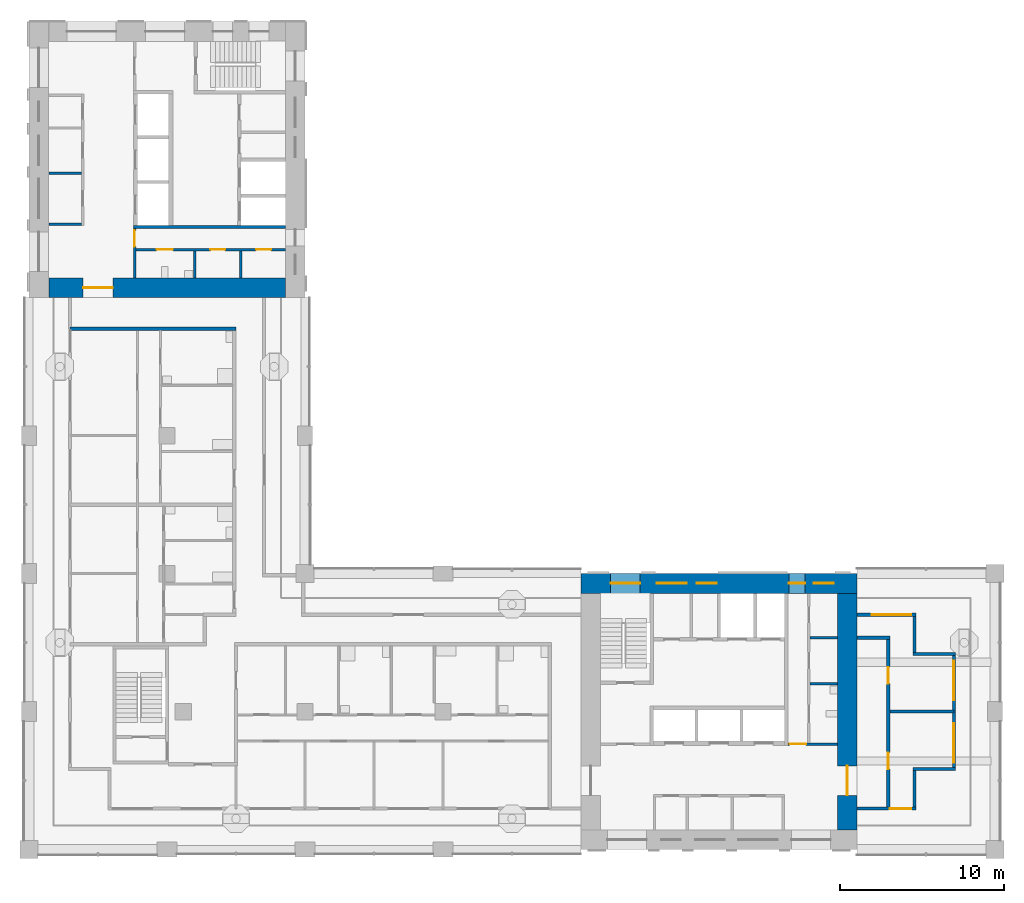
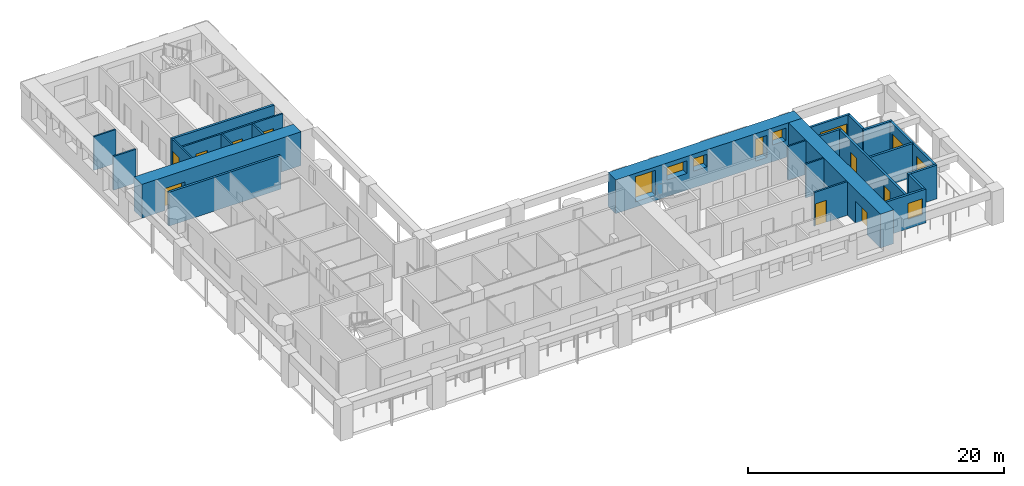
# One storey, part 5 of 13: 24 walls, 10 doors, 8 windows, 18 openings.
"""IFC4 building model written with IfcOpenShell, lengths in metres."""

import ifcopenshell
import ifcopenshell.guid

model = None  # the IFC model being written
_history = None  # IfcOwnerHistory: only IFC2X3 demands one
_inside = {}  # id of a spatial element -> (the spatial element, [elements in it])
_under = {}  # id of a project, library or spatial element -> (it, [spatial elements below it])
_declared = {}  # id of a project -> (the project, [libraries it declares])
_typed = {}  # id of a type object -> (the type object, [elements of that type])
_made_of = {}  # id of a material, layer set ... -> (it, [elements and type objects made of it])


def new_model(schema):
    """Start an empty IFC model of exactly this schema.

    Asked for "IFC4X3", IfcOpenShell would pick the latest addendum, in which some entities
    have other attributes; the version numbers below select the first issue.
    IFC2X3 requires an IfcOwnerHistory on every rooted entity: one is made here for all.
    """
    global model, _history
    if schema == "IFC4X3":
        model = ifcopenshell.file(schema_version=(4, 3, 0, 0))
    else:
        model = ifcopenshell.file(schema=schema)
    _inside.clear()
    _under.clear()
    _declared.clear()
    _typed.clear()
    _made_of.clear()
    _history = None
    if model.schema == "IFC2X3":
        org = make("IfcOrganization", Name="unknown")
        user = make(
            "IfcPersonAndOrganization",
            ThePerson=make("IfcPerson", FamilyName="unknown"),
            TheOrganization=org,
        )
        app = make(
            "IfcApplication",
            ApplicationDeveloper=org,
            Version="unknown",
            ApplicationFullName="unknown",
            ApplicationIdentifier="unknown",
        )
        _history = make(
            "IfcOwnerHistory",
            OwningUser=user,
            OwningApplication=app,
            ChangeAction="ADDED",
            CreationDate=0,
        )
    return model


def make(cls, **values):
    """One entity of the class cls with the attributes given. An attribute that is None is left unset."""
    return model.create_entity(
        cls, **{name: value for name, value in values.items() if value is not None}
    )


def rooted(cls, **values):
    """An entity with a GlobalId (a new one), such as an element, a storey or a relation."""
    return make(cls, GlobalId=ifcopenshell.guid.new(), OwnerHistory=_history, **values)


def si_unit(unit_type, name, prefix=None):
    """IfcSIUnit, for example si_unit("LENGTHUNIT", "METRE", prefix="MILLI")."""
    return make("IfcSIUnit", UnitType=unit_type, Prefix=prefix, Name=name)


def assignment(units):
    """IfcUnitAssignment: the units of a project."""
    return None if units is None else make("IfcUnitAssignment", Units=units)


def point(xyz):
    """IfcCartesianPoint."""
    return None if xyz is None else make("IfcCartesianPoint", Coordinates=xyz)


def direction(xyz):
    """IfcDirection."""
    return None if xyz is None else make("IfcDirection", DirectionRatios=xyz)


def frame(location, z_axis=None, x_axis=None):
    """IfcAxis2Placement3D, a coordinate frame: its origin and axes. An axis left out is left unset."""
    return make(
        "IfcAxis2Placement3D",
        Location=point(location),
        Axis=direction(z_axis),
        RefDirection=direction(x_axis),
    )


def frame_2d(location, x_axis=None):
    """IfcAxis2Placement2D, a coordinate frame in the plane: its origin and x axis."""
    return make(
        "IfcAxis2Placement2D", Location=point(location), RefDirection=direction(x_axis)
    )


def origin():
    """The frame at (0, 0, 0) with its axes left unset."""
    return frame((0.0, 0.0, 0.0))


def place(relative_to, where):
    """IfcLocalPlacement: puts the frame where relative to a parent placement (None: the world)."""
    return make(
        "IfcLocalPlacement", PlacementRelTo=relative_to, RelativePlacement=where
    )


def context(
    kind, dimensions, precision=None, world=None, true_north=None, identifier=None
):
    """IfcGeometricRepresentationContext, for example the 3D "Model" context."""
    return make(
        "IfcGeometricRepresentationContext",
        ContextIdentifier=identifier,
        ContextType=kind,
        CoordinateSpaceDimension=dimensions,
        Precision=precision,
        WorldCoordinateSystem=world,
        TrueNorth=true_north,
    )


def subcontext(parent, identifier, kind, view, scale=None):
    """IfcGeometricRepresentationSubContext, for example "Body" below "Model"."""
    return make(
        "IfcGeometricRepresentationSubContext",
        ContextIdentifier=identifier,
        ContextType=kind,
        ParentContext=parent,
        TargetScale=scale,
        TargetView=view,
    )


def project(units=None, contexts=None):
    """IfcProject with its units and contexts."""
    return rooted(
        "IfcProject",
        Name="project",
        RepresentationContexts=contexts,
        UnitsInContext=assignment(units),
    )


def spatial(cls, under=None, at=None, **own):
    """A site, building, storey or space (cls), placed at a placement, below another one or the project."""
    s = rooted(cls, ObjectPlacement=at, **own)
    if under is not None:
        _under.setdefault(under.id(), (under, []))[1].append(s)
    return s


def profile(cls, at=None, kind="AREA", **sizes):
    """A parametric profile (cls). Its sizes go by their IFC names, for example OverallWidth=200.0."""
    return make(cls, ProfileType=kind, Position=at, **sizes)


def rectangle(**sizes):
    """IfcRectangleProfileDef."""
    return profile("IfcRectangleProfileDef", **sizes)


def extrude(swept, where, along, depth):
    """IfcExtrudedAreaSolid: the profile swept, set in the frame where, extruded along a direction by depth."""
    return make(
        "IfcExtrudedAreaSolid",
        SweptArea=swept,
        Position=where,
        ExtrudedDirection=direction(along),
        Depth=depth,
    )


def shape(context_of_items, identifier, shape_type, items):
    """IfcShapeRepresentation: the items that make up one representation, for example the "Body"."""
    return make(
        "IfcShapeRepresentation",
        ContextOfItems=context_of_items,
        RepresentationIdentifier=identifier,
        RepresentationType=shape_type,
        Items=items,
    )


def material(Name=None, Category=None):
    """IfcMaterial."""
    return make("IfcMaterial", Name=Name, Category=Category)


def layer(
    of_material, thickness, ventilated=None, Name=None, Category=None, Priority=None
):
    """IfcMaterialLayer: one layer of a wall or slab, of a material (None: an air gap)."""
    return make(
        "IfcMaterialLayer",
        Material=of_material,
        LayerThickness=thickness,
        IsVentilated=ventilated,
        Name=Name,
        Category=Category,
        Priority=Priority,
    )


def layer_set(layers, Name=None):
    """IfcMaterialLayerSet."""
    return make("IfcMaterialLayerSet", MaterialLayers=layers, LayerSetName=Name)


def made_of(thing, what):
    """Note that an element or type object is made of a material, layer set ...; save() writes the relation."""
    if what is not None:
        _made_of.setdefault(what.id(), (what, []))[1].append(thing)
    return thing


def type_object(cls, material=None, **own):
    """A type object (cls), such as IfcWallType, which elements share."""
    return made_of(rooted(cls, **own), material)


def element(
    cls,
    number,
    at=None,
    inside=None,
    cuts=None,
    type_object=None,
    material=None,
    context=None,
    identifier="Body",
    shape_type=None,
    held_by="IfcProductDefinitionShape",
    body=None,
    shapes=None,
    **own,
):
    """One element of the class cls, such as IfcWall. Its Tag is "e" and its number.

    at: its placement. inside: the storey or other place that contains it. cuts: it is an
    opening in that element (IfcRelVoidsElement). A single representation is given by context,
    identifier, shape_type and body (its items); several are given by shapes. held_by: the class
    of the entity that holds the representations. save() writes the other relations.
    """
    e = rooted(cls, Tag="e%d" % number, ObjectPlacement=at, **own)
    if body is not None:
        shapes = [shape(context, identifier, shape_type, body)]
    if shapes is not None:
        e.Representation = make(held_by, Representations=shapes)
    if inside is not None:
        _inside.setdefault(inside.id(), (inside, []))[1].append(e)
    if cuts is not None:
        rooted(
            "IfcRelVoidsElement", RelatingBuildingElement=cuts, RelatedOpeningElement=e
        )
    if type_object is not None:
        _typed.setdefault(type_object.id(), (type_object, []))[1].append(e)
    return made_of(e, material)


def fill(opening, filler):
    """IfcRelFillsElement: the door or window that sits in an opening."""
    return rooted(
        "IfcRelFillsElement",
        RelatingOpeningElement=opening,
        RelatedBuildingElement=filler,
    )


def aggregate(whole, parts):
    """IfcRelAggregates: a whole, such as a stair, and the parts it consists of."""
    return rooted("IfcRelAggregates", RelatingObject=whole, RelatedObjects=parts)


def save(model, path):
    """Write the relations noted so far, then the file.

    IfcRelAggregates (storeys below a building ...), IfcRelContainedInSpatialStructure (elements
    in a storey), IfcRelDefinesByType, IfcRelAssociatesMaterial and IfcRelDeclares: one each for
    every whole, place, type object, material and project.
    """
    for whole, parts in _under.values():
        aggregate(whole, parts)
    for where, things in _inside.values():
        rooted(
            "IfcRelContainedInSpatialStructure",
            RelatedElements=things,
            RelatingStructure=where,
        )
    for kind, things in _typed.values():
        rooted("IfcRelDefinesByType", RelatedObjects=things, RelatingType=kind)
    for what, things in _made_of.values():
        rooted("IfcRelAssociatesMaterial", RelatedObjects=things, RelatingMaterial=what)
    for by, libraries in _declared.values():
        rooted("IfcRelDeclares", RelatingContext=by, RelatedDefinitions=libraries)
    model.write(path)


model = new_model("IFC4")

# Units and contexts
model_context = context("Model", 3, precision=1e-05, world=origin(), true_north=direction((0.0, 1.0)))
body_context = subcontext(model_context, "Body", "Model", "MODEL_VIEW")
ifc_project = project(units=[si_unit("LENGTHUNIT", "METRE"), si_unit("AREAUNIT", "SQUARE_METRE"), si_unit("VOLUMEUNIT", "CUBIC_METRE"), si_unit("PLANEANGLEUNIT", "RADIAN"), si_unit("MASSUNIT", "GRAM", prefix="KILO")], contexts=[model_context])

# Site, building, storey
site_placement = place(None, origin())
site = spatial("IfcSite", under=ifc_project, at=site_placement, CompositionType="ELEMENT")
building_placement = place(site_placement, origin())
building = spatial("IfcBuilding", under=site, at=building_placement, Name="Vermilion Gate Residences", CompositionType="ELEMENT")
storey_placement = place(building_placement, frame((0.0, 0.0, 154.699951171875)))
storey = spatial("IfcBuildingStorey", under=building, at=storey_placement, Name="L39", CompositionType="ELEMENT", Elevation=154.699951171875)

# Wall, opening, door
ifc_material_1 = material(Name="Masonry blockwork", Category="masonry")
ifc_layer_1 = layer(ifc_material_1, 0.14990234375)
ifc_layer_set_1 = layer_set([ifc_layer_1], Name="BLOCKWORK PARTITION 150 EI 120")
wall_type_1 = type_object("IfcWallType", Name="BLOCKWORK PARTITION 150 EI 120", PredefinedType="PARTITIONING", material=ifc_layer_set_1)
wall_1_placement = place(storey_placement, frame((54.60009765625, 14.824951171875, 0.0), z_axis=(0.0, 0.0, 1.0), x_axis=(1.0, 0.0, 0.0)))
wall_1 = element("IfcWall", 1, at=wall_1_placement, inside=storey, type_object=wall_type_1, Name="Core room partition A39-ES-S", PredefinedType="PARTITIONING", context=body_context, shape_type="SweptSolid", body=[
    extrude(rectangle(XDim=3.0, YDim=0.14990234375, at=frame_2d((1.5, 0.0))), origin(), (0.0, 0.0, 1.0), 3.219970703125),
])
opening_1_placement = place(wall_1_placement, frame((0.10009765625, 0.0, 0.0)))
opening_1 = element("IfcOpeningElement", 2, at=opening_1_placement, cuts=wall_1, Name="Opening DK39015", PredefinedType="OPENING", context=body_context, shape_type="SweptSolid", body=[
    extrude(rectangle(XDim=1.0, YDim=2.10009765625, at=frame_2d((0.5, 1.050048828125))), frame((0.0, 0.0849609375, 0.0), z_axis=(0.0, -1.0, 0.0), x_axis=(1.0, 0.0, 0.0)), (0.0, 0.0, 1.0), 0.169921875),
])
ifc_material_2 = material(Name="Steel", Category="steel")
door_type_1 = type_object("IfcDoorType", Name="FIRE DOOR FD60 1000 X 2100", OperationType="SINGLE_SWING_LEFT", PredefinedType="DOOR", material=ifc_material_2)
door_1_placement = place(opening_1_placement, frame((1.0, 0.0, 0.0), z_axis=(0.0, 0.0, 1.0), x_axis=(-1.0, 0.0, 0.0)))
door_1 = element("IfcDoor", 3, at=door_1_placement, inside=storey, type_object=door_type_1, Name="Service corridor door A39", OperationType="SINGLE_SWING_LEFT", OverallHeight=2.10009765625, OverallWidth=1.0, PredefinedType="DOOR", context=body_context, shape_type="SweptSolid", body=[
    extrude(rectangle(XDim=1.0, YDim=2.10009765625, at=frame_2d((0.5, 1.050048828125))), frame((0.0, 0.02490234375, 0.0), z_axis=(0.0, -1.0, 0.0), x_axis=(1.0, 0.0, 0.0)), (0.0, 0.0, 1.0), 0.050048828125),
])
fill(opening_1, door_1)

# Walls
for number, where, z_axis, x_axis, name in (
    (4, (55.949951171875, 18.4951171875, 0.0), (0.0, 0.0, 1.0), (1.0, 0.0, 0.0), "Core room partition A39-ES-P0"),
    (5, (55.949951171875, 21.284912109375, 0.0), (0.0, 0.0, 1.0), (1.0, 0.0, 0.0), "Core room partition A39-ES-P1"),
):
    element("IfcWall", number, at=place(storey_placement, frame(where, z_axis=z_axis, x_axis=x_axis)), inside=storey, type_object=wall_type_1, Name=name, PredefinedType="PARTITIONING", context=body_context, shape_type="SweptSolid", body=[
        extrude(rectangle(XDim=1.650146484375, YDim=0.14990234375, at=frame_2d((0.8251953125, 0.0))), origin(), (0.0, 0.0, 1.0), 3.219970703125),
    ])
for number, where, z_axis, x_axis, name in (
    (6, (9.60009765625, 46.47509765625, 0.0), (0.0, 0.0, 1.0), (1.0, 0.0, 0.0), "Core room partition B39-RW-E"),
    (7, (9.60009765625, 49.5849609375, 0.0), (0.0, 0.0, 1.0), (1.0, 0.0, 0.0), "Core room partition B39-SR-P1"),
):
    element("IfcWall", number, at=place(storey_placement, frame(where, z_axis=z_axis, x_axis=x_axis)), inside=storey, type_object=wall_type_1, Name=name, PredefinedType="PARTITIONING", context=body_context, shape_type="SweptSolid", body=[
        extrude(rectangle(XDim=2.0, YDim=0.14990234375, at=frame_2d((1.0, 0.0))), origin(), (0.0, 0.0, 1.0), 3.219970703125),
    ])

# Wall, opening, door
wall_2_placement = place(storey_placement, frame((14.824951171875, 46.199951171875, 0.0), z_axis=(0.0, 0.0, 1.0), x_axis=(0.0, -1.0, 0.0)))
wall_2 = element("IfcWall", 8, at=wall_2_placement, inside=storey, type_object=wall_type_1, Name="Core room partition B39-ES-S", PredefinedType="PARTITIONING", context=body_context, shape_type="SweptSolid", body=[
    extrude(rectangle(XDim=3.0, YDim=0.14990234375, at=frame_2d((1.5, 0.0))), origin(), (0.0, 0.0, 1.0), 3.219970703125),
])
opening_2_placement = place(wall_2_placement, frame((0.10009765625, 0.0, 0.0)))
opening_2 = element("IfcOpeningElement", 9, at=opening_2_placement, cuts=wall_2, Name="Opening DK39114", PredefinedType="OPENING", context=body_context, shape_type="SweptSolid", body=[
    extrude(rectangle(XDim=1.0, YDim=2.10009765625, at=frame_2d((0.5, 1.050048828125))), frame((0.0, 0.0849609375, 0.0), z_axis=(0.0, -1.0, 0.0), x_axis=(1.0, 0.0, 0.0)), (0.0, 0.0, 1.0), 0.169921875),
])
door_2_placement = place(opening_2_placement, frame((1.0, 0.0, 0.0), z_axis=(0.0, 0.0, 1.0), x_axis=(-1.0, 0.0, 0.0)))
door_2 = element("IfcDoor", 10, at=door_2_placement, inside=storey, type_object=door_type_1, Name="Service corridor door B39", OperationType="SINGLE_SWING_LEFT", OverallHeight=2.10009765625, OverallWidth=1.0, PredefinedType="DOOR", context=body_context, shape_type="SweptSolid", body=[
    extrude(rectangle(XDim=1.0, YDim=2.10009765625, at=frame_2d((0.5, 1.050048828125))), frame((0.0, 0.02490234375, 0.0), z_axis=(0.0, -1.0, 0.0), x_axis=(1.0, 0.0, 0.0)), (0.0, 0.0, 1.0), 0.050048828125),
])
fill(opening_2, door_2)

# Walls
for number, where, z_axis, x_axis, name in (
    (11, (18.4951171875, 44.85009765625, 0.0), (0.0, 0.0, 1.0), (0.0, -1.0, 0.0), "Core room partition B39-ES-P0"),
    (12, (21.284912109375, 44.85009765625, 0.0), (0.0, 0.0, 1.0), (0.0, -1.0, 0.0), "Core room partition B39-ES-P1"),
):
    element("IfcWall", number, at=place(storey_placement, frame(where, z_axis=z_axis, x_axis=x_axis)), inside=storey, type_object=wall_type_1, Name=name, PredefinedType="PARTITIONING", context=body_context, shape_type="SweptSolid", body=[
        extrude(rectangle(XDim=1.650146484375, YDim=0.14990234375, at=frame_2d((0.8251953125, 0.0))), origin(), (0.0, 0.0, 1.0), 3.219970703125),
    ])

# Wall, openings, doors
wall_3_placement = place(storey_placement, frame((14.89990234375, 44.925048828125, 0.0), z_axis=(0.0, 0.0, 1.0), x_axis=(1.0, 0.0, 0.0)))
wall_3 = element("IfcWall", 13, at=wall_3_placement, inside=storey, type_object=wall_type_1, Name="Core room partition B39-ES-W", PredefinedType="PARTITIONING", context=body_context, shape_type="SweptSolid", body=[
    extrude(rectangle(XDim=9.10009765625, YDim=0.14990234375, at=frame_2d((4.550048828125, 0.0))), origin(), (0.0, 0.0, 1.0), 3.219970703125),
])
opening_3_placement = place(wall_3_placement, frame((1.260009765625, 0.0, 0.0)))
opening_3 = element("IfcOpeningElement", 14, at=opening_3_placement, cuts=wall_3, Name="Opening DK39115", PredefinedType="OPENING", context=body_context, shape_type="SweptSolid", body=[
    extrude(rectangle(XDim=1.0, YDim=2.10009765625, at=frame_2d((0.5, 1.050048828125))), frame((0.0, 0.0849609375, 0.0), z_axis=(0.0, -1.0, 0.0), x_axis=(1.0, 0.0, 0.0)), (0.0, 0.0, 1.0), 0.169921875),
])
opening_4_placement = place(wall_3_placement, frame((4.5400390625, 0.0, 0.0)))
opening_4 = element("IfcOpeningElement", 15, at=opening_4_placement, cuts=wall_3, Name="Opening DK39116", PredefinedType="OPENING", context=body_context, shape_type="SweptSolid", body=[
    extrude(rectangle(XDim=0.89990234375, YDim=2.10009765625, at=frame_2d((0.449951171875, 1.050048828125))), frame((0.0, 0.0849609375, 0.0), z_axis=(0.0, -1.0, 0.0), x_axis=(1.0, 0.0, 0.0)), (0.0, 0.0, 1.0), 0.169921875),
])
opening_5_placement = place(wall_3_placement, frame((7.330078125, 0.0, 0.0)))
opening_5 = element("IfcOpeningElement", 16, at=opening_5_placement, cuts=wall_3, Name="Opening DK39117", PredefinedType="OPENING", context=body_context, shape_type="SweptSolid", body=[
    extrude(rectangle(XDim=0.89990234375, YDim=2.10009765625, at=frame_2d((0.449951171875, 1.050048828125))), frame((0.0, 0.0849609375, 0.0), z_axis=(0.0, -1.0, 0.0), x_axis=(1.0, 0.0, 0.0)), (0.0, 0.0, 1.0), 0.169921875),
])
door_3_placement = place(opening_3_placement, frame((1.0, 0.0, 0.0), z_axis=(0.0, 0.0, 1.0), x_axis=(-1.0, 0.0, 0.0)))
door_3 = element("IfcDoor", 17, at=door_3_placement, inside=storey, type_object=door_type_1, Name="Accessible WC B39", OperationType="SINGLE_SWING_RIGHT", OverallHeight=2.10009765625, OverallWidth=1.0, PredefinedType="DOOR", context=body_context, shape_type="SweptSolid", body=[
    extrude(rectangle(XDim=1.0, YDim=2.10009765625, at=frame_2d((0.5, 1.050048828125))), frame((0.0, 0.02490234375, 0.0), z_axis=(0.0, -1.0, 0.0), x_axis=(1.0, 0.0, 0.0)), (0.0, 0.0, 1.0), 0.050048828125),
])
fill(opening_3, door_3)
ifc_material_3 = material(Name="Steel", Category="steel")
door_type_2 = type_object("IfcDoorType", Name="SERVICE ROOM DOOR FD60 900 X 2100", OperationType="SINGLE_SWING_LEFT", PredefinedType="DOOR", material=ifc_material_3)
door_4_placement = place(opening_4_placement, frame((0.89990234375, 0.0, 0.0), z_axis=(0.0, 0.0, 1.0), x_axis=(-1.0, 0.0, 0.0)))
door_4 = element("IfcDoor", 18, at=door_4_placement, inside=storey, type_object=door_type_2, Name="Refuse room B39", OperationType="SINGLE_SWING_RIGHT", OverallHeight=2.10009765625, OverallWidth=0.89990234375, PredefinedType="DOOR", context=body_context, shape_type="SweptSolid", body=[
    extrude(rectangle(XDim=0.89990234375, YDim=2.10009765625, at=frame_2d((0.449951171875, 1.050048828125))), frame((0.0, 0.02490234375, 0.0), z_axis=(0.0, -1.0, 0.0), x_axis=(1.0, 0.0, 0.0)), (0.0, 0.0, 1.0), 0.050048828125),
])
fill(opening_4, door_4)
door_5_placement = place(opening_5_placement, frame((0.89990234375, 0.0, 0.0), z_axis=(0.0, 0.0, 1.0), x_axis=(-1.0, 0.0, 0.0)))
door_5 = element("IfcDoor", 19, at=door_5_placement, inside=storey, type_object=door_type_2, Name="Parcel room B39", OperationType="SINGLE_SWING_LEFT", OverallHeight=2.10009765625, OverallWidth=0.89990234375, PredefinedType="DOOR", context=body_context, shape_type="SweptSolid", body=[
    extrude(rectangle(XDim=0.89990234375, YDim=2.10009765625, at=frame_2d((0.449951171875, 1.050048828125))), frame((0.0, 0.02490234375, 0.0), z_axis=(0.0, -1.0, 0.0), x_axis=(1.0, 0.0, 0.0)), (0.0, 0.0, 1.0), 0.050048828125),
])
fill(opening_5, door_5)

# Wall, opening, window
ifc_material_4 = material(Name="Insulated steel stud wall with terracotta rainscreen", Category="masonry")
ifc_layer_2 = layer(ifc_material_4, 0.199951171875)
ifc_layer_set_2 = layer_set([ifc_layer_2], Name="EXTERNAL WALL 200 TERRACOTTA RAINSCREEN")
wall_type_2 = type_object("IfcWallType", Name="EXTERNAL WALL 200 TERRACOTTA RAINSCREEN", PredefinedType="SOLIDWALL", material=ifc_layer_set_2)
wall_4_placement = place(storey_placement, frame((58.800048828125, 10.89990234375, 0.0), z_axis=(0.0, 0.0, 1.0), x_axis=(1.0, 0.0, 0.0)))
wall_4 = element("IfcWall", 20, at=wall_4_placement, inside=storey, type_object=wall_type_2, Name="External wall", PredefinedType="SOLIDWALL", context=body_context, shape_type="SweptSolid", body=[
    extrude(rectangle(XDim=3.599853515625, YDim=0.199951171875, at=frame_2d((1.7998046875, 0.0))), origin(), (0.0, 0.0, 1.0), 3.219970703125),
])
opening_6_placement = place(wall_4_placement, frame((2.0, 0.0, 0.89990234375)))
opening_6 = element("IfcOpeningElement", 21, at=opening_6_placement, cuts=wall_4, Name="Opening WE39015", PredefinedType="OPENING", context=body_context, shape_type="SweptSolid", body=[
    extrude(rectangle(XDim=1.300048828125, YDim=1.5, at=frame_2d((0.64990234375, 0.75))), frame((0.0, 0.10986328125, 0.0), z_axis=(0.0, -1.0, 0.0), x_axis=(1.0, 0.0, 0.0)), (0.0, 0.0, 1.0), 0.219970703125),
])
ifc_material_5 = material(Name="Aluminium and clear glass", Category="aluminium")
window_type_1 = type_object("IfcWindowType", Name="WINDOW 1300 X 1500", PartitioningType="SINGLE_PANEL", PredefinedType="WINDOW", material=ifc_material_5)
window_1_placement = place(opening_6_placement, origin())
window_1 = element("IfcWindow", 22, at=window_1_placement, inside=storey, type_object=window_type_1, Name="Window", OverallHeight=1.5, OverallWidth=1.300048828125, PartitioningType="SINGLE_PANEL", PredefinedType="WINDOW", context=body_context, shape_type="SweptSolid", body=[
    extrude(rectangle(XDim=1.300048828125, YDim=1.5, at=frame_2d((0.64990234375, 0.75))), frame((0.0, 0.030029296875, 0.0), z_axis=(0.0, -1.0, 0.0), x_axis=(1.0, 0.0, 0.0)), (0.0, 0.0, 1.0), 0.06005859375),
])
fill(opening_6, window_1)

# Walls
wall_5_placement = place(storey_placement, frame((62.300048828125, 11.0, 0.0), z_axis=(0.0, 0.0, 1.0), x_axis=(0.0, 1.0, 0.0)))
element("IfcWall", 23, at=wall_5_placement, inside=storey, type_object=wall_type_2, Name="External wall", PredefinedType="SOLIDWALL", context=body_context, shape_type="SweptSolid", body=[
    extrude(rectangle(XDim=2.199951171875, YDim=0.199951171875, at=frame_2d((1.10009765625, 0.0))), origin(), (0.0, 0.0, 1.0), 3.219970703125),
])
wall_6_placement = place(storey_placement, frame((62.199951171875, 13.300048828125, 0.0), z_axis=(0.0, 0.0, 1.0), x_axis=(1.0, 0.0, 0.0)))
element("IfcWall", 24, at=wall_6_placement, inside=storey, type_object=wall_type_2, Name="External wall", PredefinedType="SOLIDWALL", context=body_context, shape_type="SweptSolid", body=[
    extrude(rectangle(XDim=2.60009765625, YDim=0.199951171875, at=frame_2d((1.300048828125, 0.0))), origin(), (0.0, 0.0, 1.0), 3.219970703125),
])

# Wall, openings, door, window
wall_7_placement = place(storey_placement, frame((64.699951171875, 13.39990234375, 0.0), z_axis=(0.0, 0.0, 1.0), x_axis=(0.0, 1.0, 0.0)))
wall_7 = element("IfcWall", 25, at=wall_7_placement, inside=storey, type_object=wall_type_2, Name="External wall", PredefinedType="SOLIDWALL", context=body_context, shape_type="SweptSolid", body=[
    extrude(rectangle(XDim=6.800048828125, YDim=0.199951171875, at=frame_2d((3.39990234375, 0.0))), origin(), (0.0, 0.0, 1.0), 3.219970703125),
])
opening_7_placement = place(wall_7_placement, frame((0.300048828125, 0.0, 0.89990234375)))
opening_7 = element("IfcOpeningElement", 26, at=opening_7_placement, cuts=wall_7, Name="Opening WE39016", PredefinedType="OPENING", context=body_context, shape_type="SweptSolid", body=[
    extrude(rectangle(XDim=2.39990234375, YDim=1.5, at=frame_2d((1.199951171875, 0.75))), frame((0.0, 0.10986328125, 0.0), z_axis=(0.0, -1.0, 0.0), x_axis=(1.0, 0.0, 0.0)), (0.0, 0.0, 1.0), 0.219970703125),
])
opening_8_placement = place(wall_7_placement, frame((4.10009765625, 0.0, 0.0)))
opening_8 = element("IfcOpeningElement", 27, at=opening_8_placement, cuts=wall_7, Name="Opening DE39019", PredefinedType="OPENING", context=body_context, shape_type="SweptSolid", body=[
    extrude(rectangle(XDim=2.39990234375, YDim=2.199951171875, at=frame_2d((1.199951171875, 1.10009765625))), frame((0.0, 0.10986328125, 0.0), z_axis=(0.0, -1.0, 0.0), x_axis=(1.0, 0.0, 0.0)), (0.0, 0.0, 1.0), 0.219970703125),
])
ifc_material_6 = material(Name="Aluminium and clear glass", Category="aluminium")
door_type_3 = type_object("IfcDoorType", Name="SLIDING GLAZED DOOR 2400 X 2200", OperationType="DOUBLE_DOOR_SLIDING", PredefinedType="DOOR", material=ifc_material_6)
door_6_placement = place(opening_8_placement, origin())
door_6 = element("IfcDoor", 28, at=door_6_placement, inside=storey, type_object=door_type_3, Name="Loggia sliding door", OperationType="DOUBLE_DOOR_SLIDING", OverallHeight=2.199951171875, OverallWidth=2.39990234375, PredefinedType="DOOR", context=body_context, shape_type="SweptSolid", body=[
    extrude(rectangle(XDim=2.39990234375, YDim=2.199951171875, at=frame_2d((1.199951171875, 1.10009765625))), frame((0.0, 0.02490234375, 0.0), z_axis=(0.0, -1.0, 0.0), x_axis=(1.0, 0.0, 0.0)), (0.0, 0.0, 1.0), 0.050048828125),
])
fill(opening_8, door_6)
ifc_material_7 = material(Name="Aluminium and clear glass", Category="aluminium")
window_type_2 = type_object("IfcWindowType", Name="WINDOW 2400 X 1500", PartitioningType="SINGLE_PANEL", PredefinedType="WINDOW", material=ifc_material_7)
window_2_placement = place(opening_7_placement, origin())
window_2 = element("IfcWindow", 29, at=window_2_placement, inside=storey, type_object=window_type_2, Name="Window", OverallHeight=1.5, OverallWidth=2.39990234375, PartitioningType="SINGLE_PANEL", PredefinedType="WINDOW", context=body_context, shape_type="SweptSolid", body=[
    extrude(rectangle(XDim=2.39990234375, YDim=1.5, at=frame_2d((1.199951171875, 0.75))), frame((0.0, 0.030029296875, 0.0), z_axis=(0.0, -1.0, 0.0), x_axis=(1.0, 0.0, 0.0)), (0.0, 0.0, 1.0), 0.06005859375),
])
fill(opening_7, window_2)

# Walls
wall_8_placement = place(storey_placement, frame((64.800048828125, 20.300048828125, 0.0), z_axis=(0.0, 0.0, 1.0), x_axis=(-1.0, 0.0, 0.0)))
element("IfcWall", 30, at=wall_8_placement, inside=storey, type_object=wall_type_2, Name="External wall", PredefinedType="SOLIDWALL", context=body_context, shape_type="SweptSolid", body=[
    extrude(rectangle(XDim=2.60009765625, YDim=0.199951171875, at=frame_2d((1.300048828125, 0.0))), origin(), (0.0, 0.0, 1.0), 3.219970703125),
])
wall_9_placement = place(storey_placement, frame((62.300048828125, 20.39990234375, 0.0), z_axis=(0.0, 0.0, 1.0), x_axis=(0.0, 1.0, 0.0)))
element("IfcWall", 31, at=wall_9_placement, inside=storey, type_object=wall_type_2, Name="External wall", PredefinedType="SOLIDWALL", context=body_context, shape_type="SweptSolid", body=[
    extrude(rectangle(XDim=2.2001953125, YDim=0.199951171875, at=frame_2d((1.10009765625, 0.0))), origin(), (0.0, 0.0, 1.0), 3.219970703125),
])

# Wall, opening, window
wall_10_placement = place(storey_placement, frame((62.39990234375, 22.699951171875, 0.0), z_axis=(0.0, 0.0, 1.0), x_axis=(-1.0, 0.0, 0.0)))
wall_10 = element("IfcWall", 32, at=wall_10_placement, inside=storey, type_object=wall_type_2, Name="External wall", PredefinedType="SOLIDWALL", context=body_context, shape_type="SweptSolid", body=[
    extrude(rectangle(XDim=3.599853515625, YDim=0.199951171875, at=frame_2d((1.7998046875, 0.0))), origin(), (0.0, 0.0, 1.0), 3.219970703125),
])
opening_9_placement = place(wall_10_placement, frame((0.300048828125, 0.0, 0.89990234375)))
opening_9 = element("IfcOpeningElement", 33, at=opening_9_placement, cuts=wall_10, Name="Opening WE39018", PredefinedType="OPENING", context=body_context, shape_type="SweptSolid", body=[
    extrude(rectangle(XDim=2.39990234375, YDim=1.5, at=frame_2d((1.199951171875, 0.75))), frame((0.0, 0.10986328125, 0.0), z_axis=(0.0, -1.0, 0.0), x_axis=(1.0, 0.0, 0.0)), (0.0, 0.0, 1.0), 0.219970703125),
])
window_3_placement = place(opening_9_placement, origin())
window_3 = element("IfcWindow", 34, at=window_3_placement, inside=storey, type_object=window_type_2, Name="Window", OverallHeight=1.5, OverallWidth=2.39990234375, PartitioningType="SINGLE_PANEL", PredefinedType="WINDOW", context=body_context, shape_type="SweptSolid", body=[
    extrude(rectangle(XDim=2.39990234375, YDim=1.5, at=frame_2d((1.199951171875, 0.75))), frame((0.0, 0.030029296875, 0.0), z_axis=(0.0, -1.0, 0.0), x_axis=(1.0, 0.0, 0.0)), (0.0, 0.0, 1.0), 0.06005859375),
])
fill(opening_9, window_3)

# Walls
ifc_material_8 = material(Name="Fire-rated plasterboard on steel studs", Category="steel")
ifc_layer_3 = layer(ifc_material_8, 0.199951171875)
ifc_layer_set_3 = layer_set([ifc_layer_3], Name="PARTY WALL 200 EI 120")
wall_type_3 = type_object("IfcWallType", Name="PARTY WALL 200 EI 120", PredefinedType="PARTITIONING", material=ifc_layer_set_3)
wall_11_placement = place(storey_placement, frame((60.800048828125, 16.800048828125, 0.0), z_axis=(0.0, 0.0, 1.0), x_axis=(1.0, 0.0, 0.0)))
element("IfcWall", 35, at=wall_11_placement, inside=storey, type_object=wall_type_3, Name="Party and corridor wall", PredefinedType="PARTITIONING", context=body_context, shape_type="SweptSolid", body=[
    extrude(rectangle(XDim=3.89990234375, YDim=0.199951171875, at=frame_2d((1.949951171875, 0.0))), origin(), (0.0, 0.0, 1.0), 3.219970703125),
])
wall_12_placement = place(storey_placement, frame((58.800048828125, 21.300048828125, 0.0), z_axis=(0.0, 0.0, 1.0), x_axis=(1.0, 0.0, 0.0)))
element("IfcWall", 36, at=wall_12_placement, inside=storey, type_object=wall_type_3, Name="Party and corridor wall", PredefinedType="PARTITIONING", context=body_context, shape_type="SweptSolid", body=[
    extrude(rectangle(XDim=2.0, YDim=0.199951171875, at=frame_2d((1.0, 0.0))), origin(), (0.0, 0.0, 1.0), 3.219970703125),
])
wall_13_placement = place(storey_placement, frame((10.89990234375, 40.10009765625, 0.0), z_axis=(0.0, 0.0, 1.0), x_axis=(1.0, 0.0, 0.0)))
element("IfcWall", 37, at=wall_13_placement, inside=storey, type_object=wall_type_3, Name="Party and corridor wall", PredefinedType="PARTITIONING", context=body_context, shape_type="SweptSolid", body=[
    extrude(rectangle(XDim=10.10009765625, YDim=0.199951171875, at=frame_2d((5.050048828125, 0.0))), origin(), (0.0, 0.0, 1.0), 3.219970703125),
])

# Wall, openings, doors
wall_14_placement = place(storey_placement, frame((60.699951171875, 10.89990234375, 0.0), z_axis=(0.0, 0.0, 1.0), x_axis=(0.0, 1.0, 0.0)))
wall_14 = element("IfcWall", 38, at=wall_14_placement, inside=storey, type_object=wall_type_3, Name="Party and corridor wall", PredefinedType="PARTITIONING", context=body_context, shape_type="SweptSolid", body=[
    extrude(rectangle(XDim=10.300048828125, YDim=0.199951171875, at=frame_2d((5.14990234375, 0.0))), origin(), (0.0, 0.0, 1.0), 3.219970703125),
])
opening_10_placement = place(wall_14_placement, frame((2.39990234375, 0.0, 0.0)))
opening_10 = element("IfcOpeningElement", 39, at=opening_10_placement, cuts=wall_14, Name="Opening DA37026", PredefinedType="OPENING", context=body_context, shape_type="SweptSolid", body=[
    extrude(rectangle(XDim=1.0, YDim=2.10009765625, at=frame_2d((0.5, 1.050048828125))), frame((0.0, 0.10986328125, 0.0), z_axis=(0.0, -1.0, 0.0), x_axis=(1.0, 0.0, 0.0)), (0.0, 0.0, 1.0), 0.219970703125),
])
opening_11_placement = place(wall_14_placement, frame((7.60009765625, 0.0, 0.0)))
opening_11 = element("IfcOpeningElement", 40, at=opening_11_placement, cuts=wall_14, Name="Opening DA37027", PredefinedType="OPENING", context=body_context, shape_type="SweptSolid", body=[
    extrude(rectangle(XDim=1.0, YDim=2.10009765625, at=frame_2d((0.5, 1.050048828125))), frame((0.0, 0.10986328125, 0.0), z_axis=(0.0, -1.0, 0.0), x_axis=(1.0, 0.0, 0.0)), (0.0, 0.0, 1.0), 0.219970703125),
])
ifc_material_9 = material(Name="Steel", Category="steel")
door_type_4 = type_object("IfcDoorType", Name="ENTRANCE DOOR 1000 X 2100 FD30", OperationType="SINGLE_SWING_LEFT", PredefinedType="DOOR", material=ifc_material_9)
door_7_placement = place(opening_10_placement, frame((1.0, 0.0, 0.0), z_axis=(0.0, 0.0, 1.0), x_axis=(-1.0, 0.0, 0.0)))
door_7 = element("IfcDoor", 41, at=door_7_placement, inside=storey, type_object=door_type_4, Name="Entrance door", OperationType="SINGLE_SWING_RIGHT", OverallHeight=2.10009765625, OverallWidth=1.0, PredefinedType="DOOR", context=body_context, shape_type="SweptSolid", body=[
    extrude(rectangle(XDim=1.0, YDim=2.10009765625, at=frame_2d((0.5, 1.050048828125))), frame((0.0, 0.02490234375, 0.0), z_axis=(0.0, -1.0, 0.0), x_axis=(1.0, 0.0, 0.0)), (0.0, 0.0, 1.0), 0.050048828125),
])
fill(opening_10, door_7)
door_8_placement = place(opening_11_placement, frame((1.0, 0.0, 0.0), z_axis=(0.0, 0.0, 1.0), x_axis=(-1.0, 0.0, 0.0)))
door_8 = element("IfcDoor", 42, at=door_8_placement, inside=storey, type_object=door_type_4, Name="Entrance door", OperationType="SINGLE_SWING_RIGHT", OverallHeight=2.10009765625, OverallWidth=1.0, PredefinedType="DOOR", context=body_context, shape_type="SweptSolid", body=[
    extrude(rectangle(XDim=1.0, YDim=2.10009765625, at=frame_2d((0.5, 1.050048828125))), frame((0.0, 0.02490234375, 0.0), z_axis=(0.0, -1.0, 0.0), x_axis=(1.0, 0.0, 0.0)), (0.0, 0.0, 1.0), 0.050048828125),
])
fill(opening_11, door_8)

# Wall
ifc_material_10 = material(Name="Concrete C60", Category="concrete")
ifc_layer_4 = layer(ifc_material_10, 0.199951171875)
ifc_layer_set_4 = layer_set([ifc_layer_4], Name="RC CORE INTERNAL WALL 200 C60")
wall_type_4 = type_object("IfcWallType", Name="RC CORE INTERNAL WALL 200 C60", PredefinedType="SHEAR", material=ifc_layer_set_4)
wall_15_placement = place(storey_placement, frame((14.75, 46.300048828125, 0.0), z_axis=(0.0, 0.0, 1.0), x_axis=(1.0, 0.0, 0.0)))
element("IfcWall", 43, at=wall_15_placement, inside=storey, type_object=wall_type_4, Name="Core internal wall B39-EDIV", PredefinedType="SHEAR", context=body_context, shape_type="SweptSolid", body=[
    extrude(rectangle(XDim=9.25, YDim=0.199951171875, at=frame_2d((4.625, 0.0))), origin(), (0.0, 0.0, 1.0), 3.219970703125),
])

# Wall, opening, door
ifc_material_11 = material(Name="Concrete C60", Category="concrete")
ifc_layer_5 = layer(ifc_material_11, 1.199951171875)
ifc_layer_set_5 = layer_set([ifc_layer_5], Name="RC CORE WALL 1200 C60")
wall_type_5 = type_object("IfcWallType", Name="RC CORE WALL 1200 C60", PredefinedType="SHEAR", material=ifc_layer_set_5)
wall_16_placement = place(storey_placement, frame((58.199951171875, 9.60009765625, 0.0), z_axis=(0.0, 0.0, 1.0), x_axis=(0.0, 1.0, 0.0)))
wall_16 = element("IfcWall", 44, at=wall_16_placement, inside=storey, type_object=wall_type_5, Name="Core wall A39-OUT-BK", PredefinedType="SHEAR", context=body_context, shape_type="SweptSolid", body=[
    extrude(rectangle(XDim=14.39990234375, YDim=1.199951171875, at=frame_2d((7.199951171875, 0.0))), origin(), (0.0, 0.0, 1.0), 3.219970703125),
])
opening_12_placement = place(wall_16_placement, frame((2.10009765625, 0.0, 0.0)))
opening_12 = element("IfcOpeningElement", 45, at=opening_12_placement, cuts=wall_16, Name="Opening DK39002", PredefinedType="OPENING", context=body_context, shape_type="SweptSolid", body=[
    extrude(rectangle(XDim=1.800048828125, YDim=2.10009765625, at=frame_2d((0.89990234375, 1.050048828125))), frame((0.0, 0.60986328125, 0.0), z_axis=(0.0, -1.0, 0.0), x_axis=(1.0, 0.0, 0.0)), (0.0, 0.0, 1.0), 1.219970703125),
])
ifc_material_12 = material(Name="Steel", Category="steel")
door_type_5 = type_object("IfcDoorType", Name="CORE LOBBY DOOR FD60 1800 X 2100", OperationType="DOUBLE_DOOR_SINGLE_SWING", PredefinedType="DOOR", material=ifc_material_12)
door_9_placement = place(opening_12_placement, origin())
door_9 = element("IfcDoor", 46, at=door_9_placement, inside=storey, type_object=door_type_5, Name="Core lobby door A39", OperationType="DOUBLE_DOOR_SINGLE_SWING", OverallHeight=2.10009765625, OverallWidth=1.800048828125, PredefinedType="DOOR", context=body_context, shape_type="SweptSolid", body=[
    extrude(rectangle(XDim=1.800048828125, YDim=2.10009765625, at=frame_2d((0.89990234375, 1.050048828125))), frame((0.0, 0.02490234375, 0.0), z_axis=(0.0, -1.0, 0.0), x_axis=(1.0, 0.0, 0.0)), (0.0, 0.0, 1.0), 0.050048828125),
])
fill(opening_12, door_9)

wall_17_placement = place(storey_placement, frame((9.60009765625, 42.60009765625, 0.0), z_axis=(0.0, 0.0, 1.0), x_axis=(1.0, 0.0, 0.0)))
wall_17 = element("IfcWall", 47, at=wall_17_placement, inside=storey, type_object=wall_type_5, Name="Core wall B39-OUT-BK", PredefinedType="SHEAR", context=body_context, shape_type="SweptSolid", body=[
    extrude(rectangle(XDim=14.39990234375, YDim=1.199951171875, at=frame_2d((7.199951171875, 0.0))), origin(), (0.0, 0.0, 1.0), 3.219970703125),
])
opening_13_placement = place(wall_17_placement, frame((2.10009765625, 0.0, 0.0)))
opening_13 = element("IfcOpeningElement", 48, at=opening_13_placement, cuts=wall_17, Name="Opening DK39101", PredefinedType="OPENING", context=body_context, shape_type="SweptSolid", body=[
    extrude(rectangle(XDim=1.800048828125, YDim=2.10009765625, at=frame_2d((0.89990234375, 1.050048828125))), frame((0.0, 0.60986328125, 0.0), z_axis=(0.0, -1.0, 0.0), x_axis=(1.0, 0.0, 0.0)), (0.0, 0.0, 1.0), 1.219970703125),
])
door_10_placement = place(opening_13_placement, frame((1.800048828125, 0.0, 0.0), z_axis=(0.0, 0.0, 1.0), x_axis=(-1.0, 0.0, 0.0)))
door_10 = element("IfcDoor", 49, at=door_10_placement, inside=storey, type_object=door_type_5, Name="Core lobby door B39", OperationType="DOUBLE_DOOR_SINGLE_SWING", OverallHeight=2.10009765625, OverallWidth=1.800048828125, PredefinedType="DOOR", context=body_context, shape_type="SweptSolid", body=[
    extrude(rectangle(XDim=1.800048828125, YDim=2.10009765625, at=frame_2d((0.89990234375, 1.050048828125))), frame((0.0, 0.02490234375, 0.0), z_axis=(0.0, -1.0, 0.0), x_axis=(1.0, 0.0, 0.0)), (0.0, 0.0, 1.0), 0.050048828125),
])
fill(opening_13, door_10)

# Wall, openings, windows
ifc_material_13 = material(Name="Concrete C60 red-oxide pigmented", Category="concrete")
ifc_layer_6 = layer(ifc_material_13, 1.199951171875)
ifc_layer_set_6 = layer_set([ifc_layer_6], Name="RC CORE WALL 1200 C60 RED OXIDE")
wall_type_6 = type_object("IfcWallType", Name="RC CORE WALL 1200 C60 RED OXIDE", PredefinedType="SHEAR", material=ifc_layer_set_6)
wall_18_placement = place(storey_placement, frame((42.0, 24.60009765625, 0.0), z_axis=(0.0, 0.0, 1.0), x_axis=(1.0, 0.0, 0.0)))
wall_18 = element("IfcWall", 50, at=wall_18_placement, inside=storey, type_object=wall_type_6, Name="Core wall A39-OUT-B1", PredefinedType="SHEAR", context=body_context, shape_type="SweptSolid", body=[
    extrude(rectangle(XDim=16.800048828125, YDim=1.199951171875, at=frame_2d((8.39990234375, 0.0))), origin(), (0.0, 0.0, 1.0), 3.219970703125),
])
opening_14_placement = place(wall_18_placement, frame((1.800048828125, 0.0, 0.5)))
opening_14 = element("IfcOpeningElement", 51, at=opening_14_placement, cuts=wall_18, Name="Opening WKA3906", PredefinedType="OPENING", context=body_context, shape_type="SweptSolid", body=[
    extrude(rectangle(XDim=1.800048828125, YDim=2.39990234375, at=frame_2d((0.89990234375, 1.199951171875))), frame((0.0, 0.60986328125, 0.0), z_axis=(0.0, -1.0, 0.0), x_axis=(1.0, 0.0, 0.0)), (0.0, 0.0, 1.0), 1.219970703125),
])
opening_15_placement = place(wall_18_placement, frame((4.625, 0.0, 1.60009765625)))
opening_15 = element("IfcOpeningElement", 52, at=opening_15_placement, cuts=wall_18, Name="Opening WKA3907", PredefinedType="OPENING", context=body_context, shape_type="SweptSolid", body=[
    extrude(rectangle(XDim=1.800048828125, YDim=1.199951171875, at=frame_2d((0.89990234375, 0.60009765625))), frame((0.0, 0.60986328125, 0.0), z_axis=(0.0, -1.0, 0.0), x_axis=(1.0, 0.0, 0.0)), (0.0, 0.0, 1.0), 1.219970703125),
])
opening_16_placement = place(wall_18_placement, frame((7.050048828125, 0.0, 1.60009765625)))
opening_16 = element("IfcOpeningElement", 53, at=opening_16_placement, cuts=wall_18, Name="Opening WKA3908", PredefinedType="OPENING", context=body_context, shape_type="SweptSolid", body=[
    extrude(rectangle(XDim=1.199951171875, YDim=1.199951171875, at=frame_2d((0.60009765625, 0.60009765625))), frame((0.0, 0.60986328125, 0.0), z_axis=(0.0, -1.0, 0.0), x_axis=(1.0, 0.0, 0.0)), (0.0, 0.0, 1.0), 1.219970703125),
])
opening_17_placement = place(wall_18_placement, frame((12.64990234375, 0.0, 0.60009765625)))
opening_17 = element("IfcOpeningElement", 54, at=opening_17_placement, cuts=wall_18, Name="Opening WKA3909", PredefinedType="OPENING", context=body_context, shape_type="SweptSolid", body=[
    extrude(rectangle(XDim=1.0, YDim=2.10009765625, at=frame_2d((0.5, 1.050048828125))), frame((0.0, 0.60986328125, 0.0), z_axis=(0.0, -1.0, 0.0), x_axis=(1.0, 0.0, 0.0)), (0.0, 0.0, 1.0), 1.219970703125),
])
opening_18_placement = place(wall_18_placement, frame((14.175048828125, 0.0, 1.60009765625)))
opening_18 = element("IfcOpeningElement", 55, at=opening_18_placement, cuts=wall_18, Name="Opening WKA3910", PredefinedType="OPENING", context=body_context, shape_type="SweptSolid", body=[
    extrude(rectangle(XDim=1.199951171875, YDim=1.199951171875, at=frame_2d((0.60009765625, 0.60009765625))), frame((0.0, 0.60986328125, 0.0), z_axis=(0.0, -1.0, 0.0), x_axis=(1.0, 0.0, 0.0)), (0.0, 0.0, 1.0), 1.219970703125),
])
ifc_material_14 = material(Name="Aluminium and clear glass", Category="aluminium")
window_type_3 = type_object("IfcWindowType", Name="CORE CORRIDOR WINDOW 1000 X 2100", PartitioningType="SINGLE_PANEL", PredefinedType="WINDOW", material=ifc_material_14)
window_4_placement = place(opening_17_placement, origin())
window_4 = element("IfcWindow", 56, at=window_4_placement, inside=storey, type_object=window_type_3, Name="Core corridor window", OverallHeight=2.10009765625, OverallWidth=1.0, PartitioningType="SINGLE_PANEL", PredefinedType="WINDOW", context=body_context, shape_type="SweptSolid", body=[
    extrude(rectangle(XDim=1.0, YDim=2.10009765625, at=frame_2d((0.5, 1.050048828125))), frame((0.0, 0.030029296875, 0.0), z_axis=(0.0, -1.0, 0.0), x_axis=(1.0, 0.0, 0.0)), (0.0, 0.0, 1.0), 0.06005859375),
])
fill(opening_17, window_4)
ifc_material_15 = material(Name="Aluminium frame with louvre blades", Category="aluminium")
window_type_4 = type_object("IfcWindowType", Name="CORE LOUVRE 1200 X 1200", PartitioningType="SINGLE_PANEL", PredefinedType="WINDOW", material=ifc_material_15)
window_5_placement = place(opening_16_placement, origin())
window_5 = element("IfcWindow", 57, at=window_5_placement, inside=storey, type_object=window_type_4, Name="Core louvre", OverallHeight=1.199951171875, OverallWidth=1.199951171875, PartitioningType="SINGLE_PANEL", PredefinedType="WINDOW", context=body_context, shape_type="SweptSolid", body=[
    extrude(rectangle(XDim=1.199951171875, YDim=1.199951171875, at=frame_2d((0.60009765625, 0.60009765625))), frame((0.0, 0.030029296875, 0.0), z_axis=(0.0, -1.0, 0.0), x_axis=(1.0, 0.0, 0.0)), (0.0, 0.0, 1.0), 0.06005859375),
])
fill(opening_16, window_5)
window_6_placement = place(opening_18_placement, origin())
window_6 = element("IfcWindow", 58, at=window_6_placement, inside=storey, type_object=window_type_4, Name="Core louvre", OverallHeight=1.199951171875, OverallWidth=1.199951171875, PartitioningType="SINGLE_PANEL", PredefinedType="WINDOW", context=body_context, shape_type="SweptSolid", body=[
    extrude(rectangle(XDim=1.199951171875, YDim=1.199951171875, at=frame_2d((0.60009765625, 0.60009765625))), frame((0.0, 0.030029296875, 0.0), z_axis=(0.0, -1.0, 0.0), x_axis=(1.0, 0.0, 0.0)), (0.0, 0.0, 1.0), 0.06005859375),
])
fill(opening_18, window_6)
ifc_material_16 = material(Name="Aluminium frame with louvre blades", Category="aluminium")
window_type_5 = type_object("IfcWindowType", Name="CORE LOUVRE 1800 X 1200", PartitioningType="SINGLE_PANEL", PredefinedType="WINDOW", material=ifc_material_16)
window_7_placement = place(opening_15_placement, origin())
window_7 = element("IfcWindow", 59, at=window_7_placement, inside=storey, type_object=window_type_5, Name="Core louvre", OverallHeight=1.199951171875, OverallWidth=1.800048828125, PartitioningType="SINGLE_PANEL", PredefinedType="WINDOW", context=body_context, shape_type="SweptSolid", body=[
    extrude(rectangle(XDim=1.800048828125, YDim=1.199951171875, at=frame_2d((0.89990234375, 0.60009765625))), frame((0.0, 0.030029296875, 0.0), z_axis=(0.0, -1.0, 0.0), x_axis=(1.0, 0.0, 0.0)), (0.0, 0.0, 1.0), 0.06005859375),
])
fill(opening_15, window_7)
ifc_material_17 = material(Name="Aluminium and clear glass", Category="aluminium")
window_type_6 = type_object("IfcWindowType", Name="CORE STAIR WINDOW 1800 X 2400", PartitioningType="SINGLE_PANEL", PredefinedType="WINDOW", material=ifc_material_17)
window_8_placement = place(opening_14_placement, origin())
window_8 = element("IfcWindow", 60, at=window_8_placement, inside=storey, type_object=window_type_6, Name="Core stair window", OverallHeight=2.39990234375, OverallWidth=1.800048828125, PartitioningType="SINGLE_PANEL", PredefinedType="WINDOW", context=body_context, shape_type="SweptSolid", body=[
    extrude(rectangle(XDim=1.800048828125, YDim=2.39990234375, at=frame_2d((0.89990234375, 1.199951171875))), frame((0.0, 0.030029296875, 0.0), z_axis=(0.0, -1.0, 0.0), x_axis=(1.0, 0.0, 0.0)), (0.0, 0.0, 1.0), 0.06005859375),
])
fill(opening_14, window_8)

save(model, "model.ifc")
